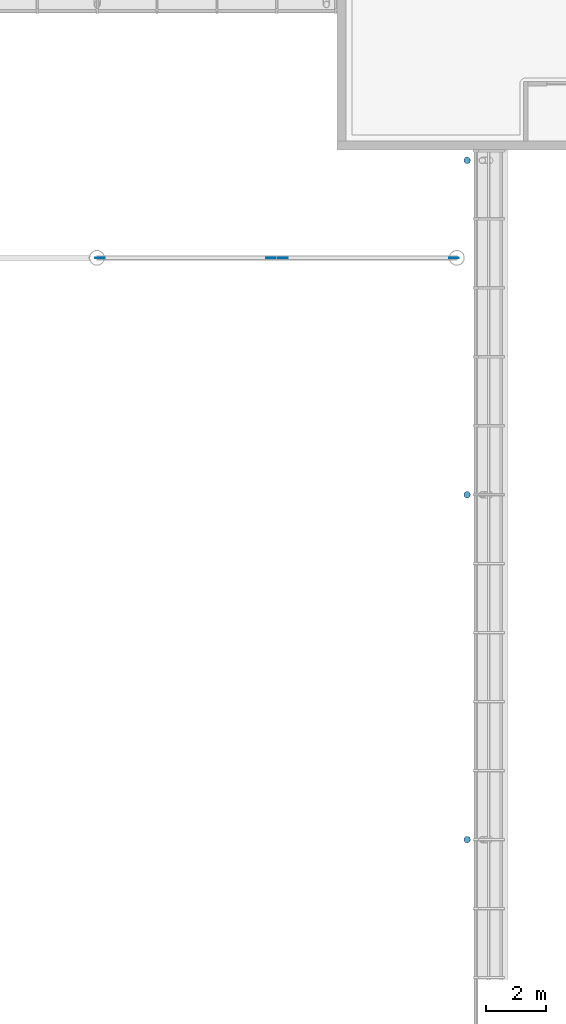
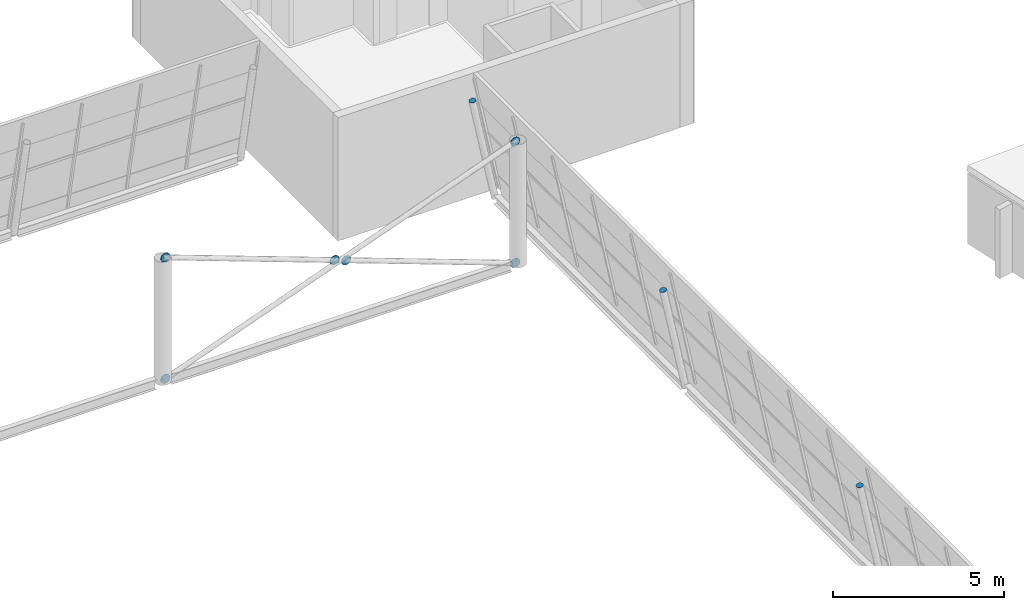
# One storey, part 41 of 50: 9 discrete accessories.
"""IFC4 building model written with IfcOpenShell, lengths in metres."""

import ifcopenshell
import ifcopenshell.guid

model = None  # the IFC model being written
_history = None  # IfcOwnerHistory: only IFC2X3 demands one
_inside = {}  # id of a spatial element -> (the spatial element, [elements in it])
_under = {}  # id of a project, library or spatial element -> (it, [spatial elements below it])
_declared = {}  # id of a project -> (the project, [libraries it declares])
_typed = {}  # id of a type object -> (the type object, [elements of that type])
_made_of = {}  # id of a material, layer set ... -> (it, [elements and type objects made of it])


def new_model(schema):
    """Start an empty IFC model of exactly this schema.

    Asked for "IFC4X3", IfcOpenShell would pick the latest addendum, in which some entities
    have other attributes; the version numbers below select the first issue.
    IFC2X3 requires an IfcOwnerHistory on every rooted entity: one is made here for all.
    """
    global model, _history
    if schema == "IFC4X3":
        model = ifcopenshell.file(schema_version=(4, 3, 0, 0))
    else:
        model = ifcopenshell.file(schema=schema)
    _inside.clear()
    _under.clear()
    _declared.clear()
    _typed.clear()
    _made_of.clear()
    _history = None
    if model.schema == "IFC2X3":
        org = make("IfcOrganization", Name="unknown")
        user = make(
            "IfcPersonAndOrganization",
            ThePerson=make("IfcPerson", FamilyName="unknown"),
            TheOrganization=org,
        )
        app = make(
            "IfcApplication",
            ApplicationDeveloper=org,
            Version="unknown",
            ApplicationFullName="unknown",
            ApplicationIdentifier="unknown",
        )
        _history = make(
            "IfcOwnerHistory",
            OwningUser=user,
            OwningApplication=app,
            ChangeAction="ADDED",
            CreationDate=0,
        )
    return model


def make(cls, **values):
    """One entity of the class cls with the attributes given. An attribute that is None is left unset."""
    return model.create_entity(
        cls, **{name: value for name, value in values.items() if value is not None}
    )


def rooted(cls, **values):
    """An entity with a GlobalId (a new one), such as an element, a storey or a relation."""
    return make(cls, GlobalId=ifcopenshell.guid.new(), OwnerHistory=_history, **values)


def si_unit(unit_type, name, prefix=None):
    """IfcSIUnit, for example si_unit("LENGTHUNIT", "METRE", prefix="MILLI")."""
    return make("IfcSIUnit", UnitType=unit_type, Prefix=prefix, Name=name)


def assignment(units):
    """IfcUnitAssignment: the units of a project."""
    return None if units is None else make("IfcUnitAssignment", Units=units)


def point(xyz):
    """IfcCartesianPoint."""
    return None if xyz is None else make("IfcCartesianPoint", Coordinates=xyz)


def direction(xyz):
    """IfcDirection."""
    return None if xyz is None else make("IfcDirection", DirectionRatios=xyz)


def frame(location, z_axis=None, x_axis=None):
    """IfcAxis2Placement3D, a coordinate frame: its origin and axes. An axis left out is left unset."""
    return make(
        "IfcAxis2Placement3D",
        Location=point(location),
        Axis=direction(z_axis),
        RefDirection=direction(x_axis),
    )


def frame_2d(location, x_axis=None):
    """IfcAxis2Placement2D, a coordinate frame in the plane: its origin and x axis."""
    return make(
        "IfcAxis2Placement2D", Location=point(location), RefDirection=direction(x_axis)
    )


def origin():
    """The frame at (0, 0, 0) with its axes left unset."""
    return frame((0.0, 0.0, 0.0))


def origin_2d():
    """The frame at (0, 0) in the plane with its x axis left unset."""
    return frame_2d((0.0, 0.0))


def place(relative_to, where):
    """IfcLocalPlacement: puts the frame where relative to a parent placement (None: the world)."""
    return make(
        "IfcLocalPlacement", PlacementRelTo=relative_to, RelativePlacement=where
    )


def context(
    kind, dimensions, precision=None, world=None, true_north=None, identifier=None
):
    """IfcGeometricRepresentationContext, for example the 3D "Model" context."""
    return make(
        "IfcGeometricRepresentationContext",
        ContextIdentifier=identifier,
        ContextType=kind,
        CoordinateSpaceDimension=dimensions,
        Precision=precision,
        WorldCoordinateSystem=world,
        TrueNorth=true_north,
    )


def subcontext(parent, identifier, kind, view, scale=None):
    """IfcGeometricRepresentationSubContext, for example "Body" below "Model"."""
    return make(
        "IfcGeometricRepresentationSubContext",
        ContextIdentifier=identifier,
        ContextType=kind,
        ParentContext=parent,
        TargetScale=scale,
        TargetView=view,
    )


def project(units=None, contexts=None):
    """IfcProject with its units and contexts."""
    return rooted(
        "IfcProject",
        Name="project",
        RepresentationContexts=contexts,
        UnitsInContext=assignment(units),
    )


def spatial(cls, under=None, at=None, **own):
    """A site, building, storey or space (cls), placed at a placement, below another one or the project."""
    s = rooted(cls, ObjectPlacement=at, **own)
    if under is not None:
        _under.setdefault(under.id(), (under, []))[1].append(s)
    return s


def profile(cls, at=None, kind="AREA", **sizes):
    """A parametric profile (cls). Its sizes go by their IFC names, for example OverallWidth=200.0."""
    return make(cls, ProfileType=kind, Position=at, **sizes)


def circle(**sizes):
    """IfcCircleProfileDef."""
    return profile("IfcCircleProfileDef", **sizes)


def extrude(swept, where, along, depth):
    """IfcExtrudedAreaSolid: the profile swept, set in the frame where, extruded along a direction by depth."""
    return make(
        "IfcExtrudedAreaSolid",
        SweptArea=swept,
        Position=where,
        ExtrudedDirection=direction(along),
        Depth=depth,
    )


def shape(context_of_items, identifier, shape_type, items):
    """IfcShapeRepresentation: the items that make up one representation, for example the "Body"."""
    return make(
        "IfcShapeRepresentation",
        ContextOfItems=context_of_items,
        RepresentationIdentifier=identifier,
        RepresentationType=shape_type,
        Items=items,
    )


def material(Name=None, Category=None):
    """IfcMaterial."""
    return make("IfcMaterial", Name=Name, Category=Category)


def layer(
    of_material, thickness, ventilated=None, Name=None, Category=None, Priority=None
):
    """IfcMaterialLayer: one layer of a wall or slab, of a material (None: an air gap)."""
    return make(
        "IfcMaterialLayer",
        Material=of_material,
        LayerThickness=thickness,
        IsVentilated=ventilated,
        Name=Name,
        Category=Category,
        Priority=Priority,
    )


def layer_set(layers, Name=None):
    """IfcMaterialLayerSet."""
    return make("IfcMaterialLayerSet", MaterialLayers=layers, LayerSetName=Name)


def made_of(thing, what):
    """Note that an element or type object is made of a material, layer set ...; save() writes the relation."""
    if what is not None:
        _made_of.setdefault(what.id(), (what, []))[1].append(thing)
    return thing


def type_object(cls, material=None, **own):
    """A type object (cls), such as IfcWallType, which elements share."""
    return made_of(rooted(cls, **own), material)


def element(
    cls,
    number,
    at=None,
    inside=None,
    cuts=None,
    type_object=None,
    material=None,
    context=None,
    identifier="Body",
    shape_type=None,
    held_by="IfcProductDefinitionShape",
    body=None,
    shapes=None,
    **own,
):
    """One element of the class cls, such as IfcWall. Its Tag is "e" and its number.

    at: its placement. inside: the storey or other place that contains it. cuts: it is an
    opening in that element (IfcRelVoidsElement). A single representation is given by context,
    identifier, shape_type and body (its items); several are given by shapes. held_by: the class
    of the entity that holds the representations. save() writes the other relations.
    """
    e = rooted(cls, Tag="e%d" % number, ObjectPlacement=at, **own)
    if body is not None:
        shapes = [shape(context, identifier, shape_type, body)]
    if shapes is not None:
        e.Representation = make(held_by, Representations=shapes)
    if inside is not None:
        _inside.setdefault(inside.id(), (inside, []))[1].append(e)
    if cuts is not None:
        rooted(
            "IfcRelVoidsElement", RelatingBuildingElement=cuts, RelatedOpeningElement=e
        )
    if type_object is not None:
        _typed.setdefault(type_object.id(), (type_object, []))[1].append(e)
    return made_of(e, material)


def aggregate(whole, parts):
    """IfcRelAggregates: a whole, such as a stair, and the parts it consists of."""
    return rooted("IfcRelAggregates", RelatingObject=whole, RelatedObjects=parts)


def save(model, path):
    """Write the relations noted so far, then the file.

    IfcRelAggregates (storeys below a building ...), IfcRelContainedInSpatialStructure (elements
    in a storey), IfcRelDefinesByType, IfcRelAssociatesMaterial and IfcRelDeclares: one each for
    every whole, place, type object, material and project.
    """
    for whole, parts in _under.values():
        aggregate(whole, parts)
    for where, things in _inside.values():
        rooted(
            "IfcRelContainedInSpatialStructure",
            RelatedElements=things,
            RelatingStructure=where,
        )
    for kind, things in _typed.values():
        rooted("IfcRelDefinesByType", RelatedObjects=things, RelatingType=kind)
    for what, things in _made_of.values():
        rooted("IfcRelAssociatesMaterial", RelatedObjects=things, RelatingMaterial=what)
    for by, libraries in _declared.values():
        rooted("IfcRelDeclares", RelatingContext=by, RelatedDefinitions=libraries)
    model.write(path)


model = new_model("IFC4")

# Units and contexts
model_context = context("Model", 3, precision=1e-05, world=origin(), true_north=direction((0.0, 1.0)))
body_context = subcontext(model_context, "Body", "Model", "MODEL_VIEW")
ifc_project = project(units=[si_unit("LENGTHUNIT", "METRE"), si_unit("AREAUNIT", "SQUARE_METRE"), si_unit("VOLUMEUNIT", "CUBIC_METRE"), si_unit("PLANEANGLEUNIT", "RADIAN"), si_unit("MASSUNIT", "GRAM", prefix="KILO")], contexts=[model_context])

# Site, building, storey
site_placement = place(None, origin())
site = spatial("IfcSite", under=ifc_project, at=site_placement, CompositionType="ELEMENT")
building_placement = place(site_placement, origin())
building = spatial("IfcBuilding", under=site, at=building_placement, Name="Windward Yard Aquatics Centre", CompositionType="ELEMENT")
storey_placement = place(building_placement, frame((0.0, 0.0, 18.199951171875)))
storey = spatial("IfcBuildingStorey", under=building, at=storey_placement, Name="L04", CompositionType="ELEMENT", Elevation=18.199951171875)

# Discrete accessories
ifc_material = material(Name="Steel S355", Category="steel")
ifc_layer_1 = layer(ifc_material, 0.010009765625)
ifc_layer_set_1 = layer_set([ifc_layer_1], Name="End cap plate 10 mm CHS219.1x12.7")
discrete_accessory_type_1 = type_object("IfcDiscreteAccessoryType", Name="End cap plate 10 mm CHS219.1x12.7", PredefinedType="USERDEFINED", material=ifc_layer_set_1)
for number, where, z_axis, x_axis, name in (
    (1, (144.34228515625, 72.5, 3.7001953125), (-0.196116135138, 0.0, 0.980580675691), (0.0, -1.0, 0.0), "End cap"),
    (2, (144.34228515625, 61.0, 3.7001953125), (-0.196116135138, 0.0, 0.980580675691), (0.0, -1.0, 0.0), "End cap"),
    (3, (144.34228515625, 83.64990234375, 3.7001953125), (-0.196116135138, 0.0, 0.980580675691), (0.0, -1.0, 0.0), "End cap"),
):
    element("IfcDiscreteAccessory", number, at=place(storey_placement, frame(where, z_axis=z_axis, x_axis=x_axis)), inside=storey, type_object=discrete_accessory_type_1, Name=name, ObjectType="END CAP", PredefinedType="USERDEFINED", context=body_context, shape_type="SweptSolid", body=[
        extrude(circle(Radius=0.109619140625, at=origin_2d()), origin(), (0.0, 0.0, 1.0), 0.010009765625),
    ])
ifc_layer_2 = layer(ifc_material, 0.011962890625)
ifc_layer_set_2 = layer_set([ifc_layer_2], Name="Gusset plate 320 mm disc 12 mm")
discrete_accessory_type_2 = type_object("IfcDiscreteAccessoryType", Name="Gusset plate 320 mm disc 12 mm", PredefinedType="USERDEFINED", material=ifc_layer_set_2)
for number, where, z_axis, x_axis, name in (
    (4, (132.093994140625, 80.39404296875, 0.034423828125), (0.0, 1.0, 0.0), (-1.0, 0.0, 0.0), "Gusset plate"),
    (5, (143.906005859375, 80.39404296875, 4.36572265625), (0.0, 1.0, 0.0), (-1.0, 0.0, 0.0), "Gusset plate"),
    (6, (132.093994140625, 80.39404296875, 4.36572265625), (0.0, 1.0, 0.0), (-1.0, 0.0, 0.0), "Gusset plate"),
    (7, (137.802734375, 80.39404296875, 2.2724609375), (0.0, 1.0, 0.0), (-1.0, 0.0, 0.0), "Gusset plate"),
    (8, (138.197265625, 80.39404296875, 2.127685546875), (0.0, 1.0, 0.0), (-1.0, 0.0, 0.0), "Gusset plate"),
    (9, (143.906005859375, 80.39404296875, 0.034423828125), (0.0, 1.0, 0.0), (-1.0, 0.0, 0.0), "Gusset plate"),
):
    element("IfcDiscreteAccessory", number, at=place(storey_placement, frame(where, z_axis=z_axis, x_axis=x_axis)), inside=storey, type_object=discrete_accessory_type_2, Name=name, ObjectType="GUSSET PLATE", PredefinedType="USERDEFINED", context=body_context, shape_type="SweptSolid", body=[
        extrude(circle(Radius=0.159912109375, at=origin_2d()), origin(), (0.0, 0.0, 1.0), 0.011962890625),
    ])

save(model, "model.ifc")
